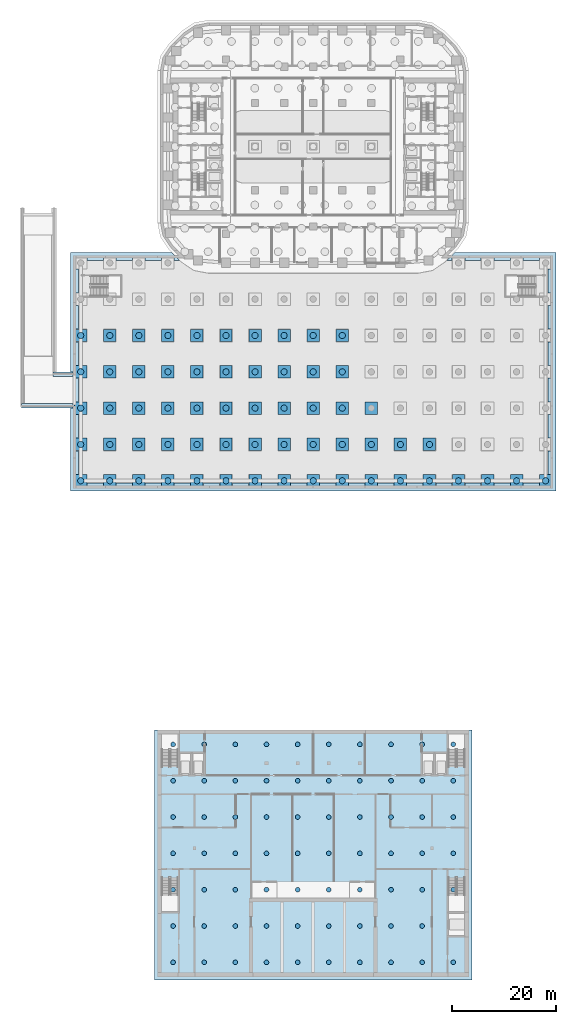
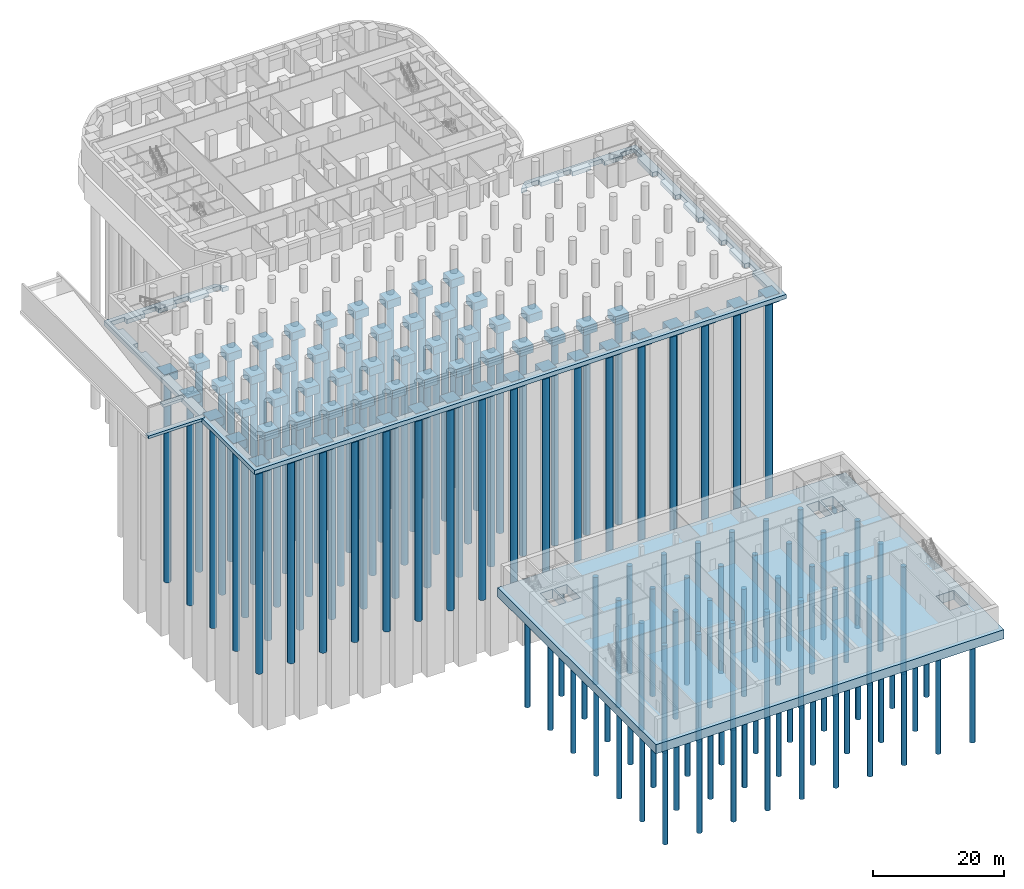
# One storey, part 1 of 23: 129 piles, 65 footings.
"""IFC4 building model written with IfcOpenShell, lengths in metres."""

from ifc_helpers import new_model, si_unit, direction, frame, origin, origin_2d, place, context, subcontext, project, spatial, polyline, rectangle, circle, outline, extrude, material, layer, layer_set, material_profile, profile_set, type_object, element, save


model = new_model("IFC4")

# Units and contexts
model_context = context("Model", 3, precision=1e-05, world=origin(), true_north=direction((0.0, 1.0)))
body_context = subcontext(model_context, "Body", "Model", "MODEL_VIEW")
ifc_project = project(units=[si_unit("LENGTHUNIT", "METRE"), si_unit("AREAUNIT", "SQUARE_METRE"), si_unit("VOLUMEUNIT", "CUBIC_METRE"), si_unit("PLANEANGLEUNIT", "RADIAN"), si_unit("MASSUNIT", "GRAM", prefix="KILO")], contexts=[model_context])

# Site, building, storey
site_placement = place(None, origin())
site = spatial("IfcSite", under=ifc_project, at=site_placement, CompositionType="ELEMENT")
building_placement = place(site_placement, origin())
building = spatial("IfcBuilding", under=site, at=building_placement, Name="Kiln Ring Residences", CompositionType="ELEMENT")
storey_placement = place(building_placement, frame((0.0, 0.0, -4.5)))
storey = spatial("IfcBuildingStorey", under=building, at=storey_placement, Name="B1", CompositionType="ELEMENT", Elevation=-4.5)

# Piles
ifc_material_1 = material(Name="Concrete C40/50", Category="concrete")
ifc_material_profile_1 = material_profile(ifc_material_1, circle(Radius=0.60009765625, at=origin_2d()), Name="BORED1200")
ifc_profile_set_1 = profile_set([ifc_material_profile_1], Name="Concrete C40/50")
pile_type_1 = type_object("IfcPileType", Name="Bored pile D1200 C40/50", PredefinedType="BORED", material=ifc_profile_set_1)
for number, where, z_axis, x_axis, name in (
    (1, (-44.800048828125, -36.39990234375, -1.85009765625), (0.0, 0.0, -1.0), (1.0, 0.0, 0.0), "Bored pile B1 120"),
    (2, (-39.199951171875, -36.39990234375, -1.85009765625), (0.0, 0.0, -1.0), (1.0, 0.0, 0.0), "Bored pile B1 121"),
    (3, (-33.60009765625, -36.39990234375, -1.85009765625), (0.0, 0.0, -1.0), (1.0, 0.0, 0.0), "Bored pile B1 122"),
    (4, (-28.0, -36.39990234375, -1.85009765625), (0.0, 0.0, -1.0), (1.0, 0.0, 0.0), "Bored pile B1 123"),
    (5, (-22.39990234375, -36.39990234375, -1.85009765625), (0.0, 0.0, -1.0), (1.0, 0.0, 0.0), "Bored pile B1 124"),
    (6, (-16.800048828125, -36.39990234375, -1.85009765625), (0.0, 0.0, -1.0), (1.0, 0.0, 0.0), "Bored pile B1 125"),
    (7, (-11.199951171875, -36.39990234375, -1.85009765625), (0.0, 0.0, -1.0), (1.0, 0.0, 0.0), "Bored pile B1 126"),
    (8, (-5.60009765625, -36.39990234375, -1.85009765625), (0.0, 0.0, -1.0), (1.0, 0.0, 0.0), "Bored pile B1 127"),
    (9, (0.0, -36.39990234375, -1.85009765625), (0.0, 0.0, -1.0), (1.0, 0.0, 0.0), "Bored pile B1 128"),
    (10, (5.60009765625, -36.39990234375, -1.85009765625), (0.0, 0.0, -1.0), (1.0, 0.0, 0.0), "Bored pile B1 129"),
    (11, (-44.800048828125, -43.39990234375, -1.85009765625), (0.0, 0.0, -1.0), (1.0, 0.0, 0.0), "Bored pile B1 137"),
    (12, (-39.199951171875, -43.39990234375, -1.85009765625), (0.0, 0.0, -1.0), (1.0, 0.0, 0.0), "Bored pile B1 138"),
    (13, (-33.60009765625, -43.39990234375, -1.85009765625), (0.0, 0.0, -1.0), (1.0, 0.0, 0.0), "Bored pile B1 139"),
    (14, (-28.0, -43.39990234375, -1.85009765625), (0.0, 0.0, -1.0), (1.0, 0.0, 0.0), "Bored pile B1 140"),
    (15, (-22.39990234375, -43.39990234375, -1.85009765625), (0.0, 0.0, -1.0), (1.0, 0.0, 0.0), "Bored pile B1 141"),
    (16, (-16.800048828125, -43.39990234375, -1.85009765625), (0.0, 0.0, -1.0), (1.0, 0.0, 0.0), "Bored pile B1 142"),
    (17, (-11.199951171875, -43.39990234375, -1.85009765625), (0.0, 0.0, -1.0), (1.0, 0.0, 0.0), "Bored pile B1 143"),
    (18, (-5.60009765625, -43.39990234375, -1.85009765625), (0.0, 0.0, -1.0), (1.0, 0.0, 0.0), "Bored pile B1 144"),
    (19, (0.0, -43.39990234375, -1.85009765625), (0.0, 0.0, -1.0), (1.0, 0.0, 0.0), "Bored pile B1 145"),
    (20, (5.60009765625, -43.39990234375, -1.85009765625), (0.0, 0.0, -1.0), (1.0, 0.0, 0.0), "Bored pile B1 146"),
    (21, (-44.800048828125, -50.39990234375, -1.85009765625), (0.0, 0.0, -1.0), (1.0, 0.0, 0.0), "Bored pile B1 154"),
    (22, (-39.199951171875, -50.39990234375, -1.85009765625), (0.0, 0.0, -1.0), (1.0, 0.0, 0.0), "Bored pile B1 155"),
    (23, (-33.60009765625, -50.39990234375, -1.85009765625), (0.0, 0.0, -1.0), (1.0, 0.0, 0.0), "Bored pile B1 156"),
    (24, (-28.0, -50.39990234375, -1.85009765625), (0.0, 0.0, -1.0), (1.0, 0.0, 0.0), "Bored pile B1 157"),
    (25, (-22.39990234375, -50.39990234375, -1.85009765625), (0.0, 0.0, -1.0), (1.0, 0.0, 0.0), "Bored pile B1 158"),
    (26, (-16.800048828125, -50.39990234375, -1.85009765625), (0.0, 0.0, -1.0), (1.0, 0.0, 0.0), "Bored pile B1 159"),
    (27, (-11.199951171875, -50.39990234375, -1.85009765625), (0.0, 0.0, -1.0), (1.0, 0.0, 0.0), "Bored pile B1 160"),
    (28, (-5.60009765625, -50.39990234375, -1.85009765625), (0.0, 0.0, -1.0), (1.0, 0.0, 0.0), "Bored pile B1 161"),
    (29, (0.0, -50.39990234375, -1.85009765625), (0.0, 0.0, -1.0), (1.0, 0.0, 0.0), "Bored pile B1 162"),
    (30, (5.60009765625, -50.39990234375, -1.85009765625), (0.0, 0.0, -1.0), (1.0, 0.0, 0.0), "Bored pile B1 163"),
    (31, (-44.800048828125, -57.39990234375, -1.85009765625), (0.0, 0.0, -1.0), (1.0, 0.0, 0.0), "Bored pile B1 171"),
    (32, (-39.199951171875, -57.39990234375, -1.85009765625), (0.0, 0.0, -1.0), (1.0, 0.0, 0.0), "Bored pile B1 172"),
    (33, (-33.60009765625, -57.39990234375, -1.85009765625), (0.0, 0.0, -1.0), (1.0, 0.0, 0.0), "Bored pile B1 173"),
    (34, (-28.0, -57.39990234375, -1.85009765625), (0.0, 0.0, -1.0), (1.0, 0.0, 0.0), "Bored pile B1 174"),
    (35, (-22.39990234375, -57.39990234375, -1.85009765625), (0.0, 0.0, -1.0), (1.0, 0.0, 0.0), "Bored pile B1 175"),
    (36, (-16.800048828125, -57.39990234375, -1.85009765625), (0.0, 0.0, -1.0), (1.0, 0.0, 0.0), "Bored pile B1 176"),
    (37, (-11.199951171875, -57.39990234375, -1.85009765625), (0.0, 0.0, -1.0), (1.0, 0.0, 0.0), "Bored pile B1 177"),
    (38, (-5.60009765625, -57.39990234375, -1.85009765625), (0.0, 0.0, -1.0), (1.0, 0.0, 0.0), "Bored pile B1 178"),
    (39, (0.0, -57.39990234375, -1.85009765625), (0.0, 0.0, -1.0), (1.0, 0.0, 0.0), "Bored pile B1 179"),
    (40, (5.60009765625, -57.39990234375, -1.85009765625), (0.0, 0.0, -1.0), (1.0, 0.0, 0.0), "Bored pile B1 180"),
    (41, (11.199951171875, -57.39990234375, -1.85009765625), (0.0, 0.0, -1.0), (1.0, 0.0, 0.0), "Bored pile B1 181"),
    (42, (16.800048828125, -57.39990234375, -1.85009765625), (0.0, 0.0, -1.0), (1.0, 0.0, 0.0), "Bored pile B1 182"),
    (43, (22.39990234375, -57.39990234375, -1.85009765625), (0.0, 0.0, -1.0), (1.0, 0.0, 0.0), "Bored pile B1 183"),
    (44, (-44.800048828125, -64.39990234375, -1.85009765625), (0.0, 0.0, -1.0), (1.0, 0.0, 0.0), "Bored pile B1 188"),
    (45, (-39.199951171875, -64.39990234375, -1.85009765625), (0.0, 0.0, -1.0), (1.0, 0.0, 0.0), "Bored pile B1 189"),
    (46, (-33.60009765625, -64.39990234375, -1.85009765625), (0.0, 0.0, -1.0), (1.0, 0.0, 0.0), "Bored pile B1 190"),
    (47, (-28.0, -64.39990234375, -1.85009765625), (0.0, 0.0, -1.0), (1.0, 0.0, 0.0), "Bored pile B1 191"),
    (48, (-22.39990234375, -64.39990234375, -1.85009765625), (0.0, 0.0, -1.0), (1.0, 0.0, 0.0), "Bored pile B1 192"),
    (49, (-16.800048828125, -64.39990234375, -1.85009765625), (0.0, 0.0, -1.0), (1.0, 0.0, 0.0), "Bored pile B1 193"),
    (50, (-11.199951171875, -64.39990234375, -1.85009765625), (0.0, 0.0, -1.0), (1.0, 0.0, 0.0), "Bored pile B1 194"),
    (51, (-5.60009765625, -64.39990234375, -1.85009765625), (0.0, 0.0, -1.0), (1.0, 0.0, 0.0), "Bored pile B1 195"),
    (52, (0.0, -64.39990234375, -1.85009765625), (0.0, 0.0, -1.0), (1.0, 0.0, 0.0), "Bored pile B1 196"),
    (53, (5.60009765625, -64.39990234375, -1.85009765625), (0.0, 0.0, -1.0), (1.0, 0.0, 0.0), "Bored pile B1 197"),
    (54, (11.199951171875, -64.39990234375, -1.85009765625), (0.0, 0.0, -1.0), (1.0, 0.0, 0.0), "Bored pile B1 198"),
    (55, (16.800048828125, -64.39990234375, -1.85009765625), (0.0, 0.0, -1.0), (1.0, 0.0, 0.0), "Bored pile B1 199"),
    (56, (22.39990234375, -64.39990234375, -1.85009765625), (0.0, 0.0, -1.0), (1.0, 0.0, 0.0), "Bored pile B1 200"),
    (57, (28.0, -64.39990234375, -1.85009765625), (0.0, 0.0, -1.0), (1.0, 0.0, 0.0), "Bored pile B1 201"),
    (58, (33.60009765625, -64.39990234375, -1.85009765625), (0.0, 0.0, -1.0), (1.0, 0.0, 0.0), "Bored pile B1 202"),
    (59, (39.199951171875, -64.39990234375, -1.85009765625), (0.0, 0.0, -1.0), (1.0, 0.0, 0.0), "Bored pile B1 203"),
    (60, (44.800048828125, -64.39990234375, -1.85009765625), (0.0, 0.0, -1.0), (1.0, 0.0, 0.0), "Bored pile B1 204"),
):
    element("IfcPile", number, at=place(storey_placement, frame(where, z_axis=z_axis, x_axis=x_axis)), inside=storey, type_object=pile_type_1, Name=name, PredefinedType="BORED", context=body_context, shape_type="SweptSolid", body=[
        extrude(circle(Radius=0.60009765625, at=origin_2d()), origin(), (0.0, 0.0, 1.0), 38.0),
    ])
ifc_material_2 = material(Name="Concrete C35/45", Category="concrete")
ifc_material_profile_2 = material_profile(ifc_material_2, circle(Radius=0.449951171875, at=origin_2d()), Name="Hall bored pile D900")
ifc_profile_set_2 = profile_set([ifc_material_profile_2], Name="Concrete C35/45")
pile_type_2 = type_object("IfcPileType", Name="Hall bored pile D900", PredefinedType="BORED", material=ifc_profile_set_2)
for number, where, z_axis, x_axis, name in (
    (61, (-27.0, -157.199951171875, -1.60009765625), (0.0, 0.0, -1.0), (1.0, 0.0, 0.0), "Hall pile 1"),
    (62, (-27.0, -150.199951171875, -1.60009765625), (0.0, 0.0, -1.0), (1.0, 0.0, 0.0), "Hall pile 2"),
    (63, (-27.0, -143.199951171875, -1.60009765625), (0.0, 0.0, -1.0), (1.0, 0.0, 0.0), "Hall pile 3"),
    (64, (-27.0, -136.199951171875, -1.60009765625), (0.0, 0.0, -1.0), (1.0, 0.0, 0.0), "Hall pile 4"),
    (65, (-27.0, -129.199951171875, -1.60009765625), (0.0, 0.0, -1.0), (1.0, 0.0, 0.0), "Hall pile 5"),
    (66, (-27.0, -122.199951171875, -1.60009765625), (0.0, 0.0, -1.0), (1.0, 0.0, 0.0), "Hall pile 6"),
    (67, (-27.0, -115.199951171875, -1.60009765625), (0.0, 0.0, -1.0), (1.0, 0.0, 0.0), "Hall pile 7"),
    (68, (-21.0, -157.199951171875, -1.60009765625), (0.0, 0.0, -1.0), (1.0, 0.0, 0.0), "Hall pile 8"),
    (69, (-21.0, -150.199951171875, -1.60009765625), (0.0, 0.0, -1.0), (1.0, 0.0, 0.0), "Hall pile 9"),
    (70, (-21.0, -143.199951171875, -1.60009765625), (0.0, 0.0, -1.0), (1.0, 0.0, 0.0), "Hall pile 10"),
    (71, (-21.0, -136.199951171875, -1.60009765625), (0.0, 0.0, -1.0), (1.0, 0.0, 0.0), "Hall pile 11"),
    (72, (-21.0, -129.199951171875, -1.60009765625), (0.0, 0.0, -1.0), (1.0, 0.0, 0.0), "Hall pile 12"),
    (73, (-21.0, -122.199951171875, -1.60009765625), (0.0, 0.0, -1.0), (1.0, 0.0, 0.0), "Hall pile 13"),
    (74, (-21.0, -115.199951171875, -1.60009765625), (0.0, 0.0, -1.0), (1.0, 0.0, 0.0), "Hall pile 14"),
    (75, (-15.0, -157.199951171875, -1.60009765625), (0.0, 0.0, -1.0), (1.0, 0.0, 0.0), "Hall pile 15"),
    (76, (-15.0, -150.199951171875, -1.60009765625), (0.0, 0.0, -1.0), (1.0, 0.0, 0.0), "Hall pile 16"),
    (77, (-15.0, -143.199951171875, -1.60009765625), (0.0, 0.0, -1.0), (1.0, 0.0, 0.0), "Hall pile 17"),
    (78, (-15.0, -136.199951171875, -1.60009765625), (0.0, 0.0, -1.0), (1.0, 0.0, 0.0), "Hall pile 18"),
    (79, (-15.0, -129.199951171875, -1.60009765625), (0.0, 0.0, -1.0), (1.0, 0.0, 0.0), "Hall pile 19"),
    (80, (-15.0, -122.199951171875, -1.60009765625), (0.0, 0.0, -1.0), (1.0, 0.0, 0.0), "Hall pile 20"),
    (81, (-15.0, -115.199951171875, -1.60009765625), (0.0, 0.0, -1.0), (1.0, 0.0, 0.0), "Hall pile 21"),
    (82, (-9.0, -157.199951171875, -1.60009765625), (0.0, 0.0, -1.0), (1.0, 0.0, 0.0), "Hall pile 22"),
    (83, (-9.0, -150.199951171875, -1.60009765625), (0.0, 0.0, -1.0), (1.0, 0.0, 0.0), "Hall pile 23"),
    (84, (-9.0, -143.199951171875, -1.60009765625), (0.0, 0.0, -1.0), (1.0, 0.0, 0.0), "Hall pile 24"),
    (85, (-9.0, -136.199951171875, -1.60009765625), (0.0, 0.0, -1.0), (1.0, 0.0, 0.0), "Hall pile 25"),
    (86, (-9.0, -129.199951171875, -1.60009765625), (0.0, 0.0, -1.0), (1.0, 0.0, 0.0), "Hall pile 26"),
    (87, (-9.0, -122.199951171875, -1.60009765625), (0.0, 0.0, -1.0), (1.0, 0.0, 0.0), "Hall pile 27"),
    (88, (-9.0, -115.199951171875, -1.60009765625), (0.0, 0.0, -1.0), (1.0, 0.0, 0.0), "Hall pile 28"),
    (89, (-3.0, -157.199951171875, -1.60009765625), (0.0, 0.0, -1.0), (1.0, 0.0, 0.0), "Hall pile 29"),
    (90, (-3.0, -150.199951171875, -1.60009765625), (0.0, 0.0, -1.0), (1.0, 0.0, 0.0), "Hall pile 30"),
    (91, (-3.0, -143.199951171875, -1.60009765625), (0.0, 0.0, -1.0), (1.0, 0.0, 0.0), "Hall pile 31"),
    (92, (-3.0, -136.199951171875, -1.60009765625), (0.0, 0.0, -1.0), (1.0, 0.0, 0.0), "Hall pile 32"),
    (93, (-3.0, -129.199951171875, -1.60009765625), (0.0, 0.0, -1.0), (1.0, 0.0, 0.0), "Hall pile 33"),
    (94, (-3.0, -122.199951171875, -1.60009765625), (0.0, 0.0, -1.0), (1.0, 0.0, 0.0), "Hall pile 34"),
    (95, (-3.0, -115.199951171875, -1.60009765625), (0.0, 0.0, -1.0), (1.0, 0.0, 0.0), "Hall pile 35"),
    (96, (3.0, -157.199951171875, -1.60009765625), (0.0, 0.0, -1.0), (1.0, 0.0, 0.0), "Hall pile 36"),
    (97, (3.0, -150.199951171875, -1.60009765625), (0.0, 0.0, -1.0), (1.0, 0.0, 0.0), "Hall pile 37"),
    (98, (3.0, -143.199951171875, -1.60009765625), (0.0, 0.0, -1.0), (1.0, 0.0, 0.0), "Hall pile 38"),
    (99, (3.0, -136.199951171875, -1.60009765625), (0.0, 0.0, -1.0), (1.0, 0.0, 0.0), "Hall pile 39"),
    (100, (3.0, -129.199951171875, -1.60009765625), (0.0, 0.0, -1.0), (1.0, 0.0, 0.0), "Hall pile 40"),
    (101, (3.0, -122.199951171875, -1.60009765625), (0.0, 0.0, -1.0), (1.0, 0.0, 0.0), "Hall pile 41"),
    (102, (3.0, -115.199951171875, -1.60009765625), (0.0, 0.0, -1.0), (1.0, 0.0, 0.0), "Hall pile 42"),
    (103, (9.0, -157.199951171875, -1.60009765625), (0.0, 0.0, -1.0), (1.0, 0.0, 0.0), "Hall pile 43"),
    (104, (9.0, -150.199951171875, -1.60009765625), (0.0, 0.0, -1.0), (1.0, 0.0, 0.0), "Hall pile 44"),
    (105, (9.0, -143.199951171875, -1.60009765625), (0.0, 0.0, -1.0), (1.0, 0.0, 0.0), "Hall pile 45"),
    (106, (9.0, -136.199951171875, -1.60009765625), (0.0, 0.0, -1.0), (1.0, 0.0, 0.0), "Hall pile 46"),
    (107, (9.0, -129.199951171875, -1.60009765625), (0.0, 0.0, -1.0), (1.0, 0.0, 0.0), "Hall pile 47"),
    (108, (9.0, -122.199951171875, -1.60009765625), (0.0, 0.0, -1.0), (1.0, 0.0, 0.0), "Hall pile 48"),
    (109, (9.0, -115.199951171875, -1.60009765625), (0.0, 0.0, -1.0), (1.0, 0.0, 0.0), "Hall pile 49"),
    (110, (15.0, -157.199951171875, -1.60009765625), (0.0, 0.0, -1.0), (1.0, 0.0, 0.0), "Hall pile 50"),
    (111, (15.0, -150.199951171875, -1.60009765625), (0.0, 0.0, -1.0), (1.0, 0.0, 0.0), "Hall pile 51"),
    (112, (15.0, -143.199951171875, -1.60009765625), (0.0, 0.0, -1.0), (1.0, 0.0, 0.0), "Hall pile 52"),
    (113, (15.0, -136.199951171875, -1.60009765625), (0.0, 0.0, -1.0), (1.0, 0.0, 0.0), "Hall pile 53"),
    (114, (15.0, -129.199951171875, -1.60009765625), (0.0, 0.0, -1.0), (1.0, 0.0, 0.0), "Hall pile 54"),
    (115, (15.0, -122.199951171875, -1.60009765625), (0.0, 0.0, -1.0), (1.0, 0.0, 0.0), "Hall pile 55"),
    (116, (15.0, -115.199951171875, -1.60009765625), (0.0, 0.0, -1.0), (1.0, 0.0, 0.0), "Hall pile 56"),
    (117, (21.0, -157.199951171875, -1.60009765625), (0.0, 0.0, -1.0), (1.0, 0.0, 0.0), "Hall pile 57"),
    (118, (21.0, -150.199951171875, -1.60009765625), (0.0, 0.0, -1.0), (1.0, 0.0, 0.0), "Hall pile 58"),
    (119, (21.0, -143.199951171875, -1.60009765625), (0.0, 0.0, -1.0), (1.0, 0.0, 0.0), "Hall pile 59"),
    (120, (21.0, -136.199951171875, -1.60009765625), (0.0, 0.0, -1.0), (1.0, 0.0, 0.0), "Hall pile 60"),
    (121, (21.0, -129.199951171875, -1.60009765625), (0.0, 0.0, -1.0), (1.0, 0.0, 0.0), "Hall pile 61"),
    (122, (21.0, -122.199951171875, -1.60009765625), (0.0, 0.0, -1.0), (1.0, 0.0, 0.0), "Hall pile 62"),
    (123, (21.0, -115.199951171875, -1.60009765625), (0.0, 0.0, -1.0), (1.0, 0.0, 0.0), "Hall pile 63"),
    (124, (27.0, -157.199951171875, -1.60009765625), (0.0, 0.0, -1.0), (1.0, 0.0, 0.0), "Hall pile 64"),
    (125, (27.0, -143.199951171875, -1.60009765625), (0.0, 0.0, -1.0), (1.0, 0.0, 0.0), "Hall pile 65"),
    (126, (27.0, -136.199951171875, -1.60009765625), (0.0, 0.0, -1.0), (1.0, 0.0, 0.0), "Hall pile 66"),
    (127, (27.0, -129.199951171875, -1.60009765625), (0.0, 0.0, -1.0), (1.0, 0.0, 0.0), "Hall pile 67"),
    (128, (27.0, -122.199951171875, -1.60009765625), (0.0, 0.0, -1.0), (1.0, 0.0, 0.0), "Hall pile 68"),
    (129, (27.0, -115.199951171875, -1.60009765625), (0.0, 0.0, -1.0), (1.0, 0.0, 0.0), "Hall pile 69"),
):
    element("IfcPile", number, at=place(storey_placement, frame(where, z_axis=z_axis, x_axis=x_axis)), inside=storey, type_object=pile_type_2, Name=name, PredefinedType="BORED", context=body_context, shape_type="SweptSolid", body=[
        extrude(circle(Radius=0.449951171875, at=origin_2d()), origin(), (0.0, 0.0, 1.0), 20.0),
    ])

# Footings
ifc_material_3 = material(Name="Concrete C35/45", Category="concrete")
ifc_layer = layer(ifc_material_3, 1.699951171875)
ifc_layer_set = layer_set([ifc_layer], Name="Hall piled raft 1700")
footing_type_1 = type_object("IfcFootingType", Name="Hall piled raft 1700", PredefinedType="PILE_CAP", material=ifc_layer_set)
footing_1_placement = place(storey_placement, frame((0.0, 0.0, -1.699951171875)))
element("IfcFooting", 130, at=footing_1_placement, inside=storey, type_object=footing_type_1, Name="Hall piled raft", PredefinedType="PILE_CAP", context=body_context, shape_type="SweptSolid", body=[
    extrude(outline(polyline([(30.60009765625, -160.60009765625), (30.60009765625, -112.39990234375), (-30.60009765625, -112.39990234375), (-30.60009765625, -160.60009765625), (30.60009765625, -160.60009765625)]), holes=[polyline([(-23.550048828125, -116.949951171875), (-25.75, -116.949951171875), (-25.75, -121.050048828125), (-23.550048828125, -121.050048828125), (-23.550048828125, -116.949951171875)]), polyline([(-21.050048828125, -121.050048828125), (-21.050048828125, -116.949951171875), (-23.25, -116.949951171875), (-23.25, -121.050048828125), (-21.050048828125, -121.050048828125)]), polyline([(21.050048828125, -116.949951171875), (21.050048828125, -121.050048828125), (23.25, -121.050048828125), (23.25, -116.949951171875), (21.050048828125, -116.949951171875)]), polyline([(23.550048828125, -121.050048828125), (25.75, -121.050048828125), (25.75, -116.949951171875), (23.550048828125, -116.949951171875), (23.550048828125, -121.050048828125)]), polyline([(26.050048828125, -152.050048828125), (29.199951171875, -152.050048828125), (29.199951171875, -147.75), (26.050048828125, -147.75), (26.050048828125, -152.050048828125)])]), origin(), (0.0, 0.0, 1.0), 1.699951171875),
])
ifc_material_4 = material(Name="Concrete C40/50", Category="concrete")
footing_type_2 = type_object("IfcFootingType", Name="Pile cap 2400x1500", PredefinedType="PILE_CAP", material=ifc_material_4)
for number, where, z_axis, x_axis, name in (
    (131, (-44.800048828125, -36.39990234375, -2.0), (0.0, 0.0, 1.0), (1.0, 0.0, 0.0), "Pile cap B1 18"),
    (132, (-39.199951171875, -36.39990234375, -2.0), (0.0, 0.0, 1.0), (1.0, 0.0, 0.0), "Pile cap B1 19"),
    (133, (-33.60009765625, -36.39990234375, -2.0), (0.0, 0.0, 1.0), (1.0, 0.0, 0.0), "Pile cap B1 20"),
    (134, (-28.0, -36.39990234375, -2.0), (0.0, 0.0, 1.0), (1.0, 0.0, 0.0), "Pile cap B1 21"),
    (135, (-22.39990234375, -36.39990234375, -2.0), (0.0, 0.0, 1.0), (1.0, 0.0, 0.0), "Pile cap B1 22"),
    (136, (-16.800048828125, -36.39990234375, -2.0), (0.0, 0.0, 1.0), (1.0, 0.0, 0.0), "Pile cap B1 23"),
    (137, (-11.199951171875, -36.39990234375, -2.0), (0.0, 0.0, 1.0), (1.0, 0.0, 0.0), "Pile cap B1 24"),
    (138, (-5.60009765625, -36.39990234375, -2.0), (0.0, 0.0, 1.0), (1.0, 0.0, 0.0), "Pile cap B1 25"),
    (139, (0.0, -36.39990234375, -2.0), (0.0, 0.0, 1.0), (1.0, 0.0, 0.0), "Pile cap B1 26"),
    (140, (5.60009765625, -36.39990234375, -2.0), (0.0, 0.0, 1.0), (1.0, 0.0, 0.0), "Pile cap B1 27"),
    (141, (-44.800048828125, -43.39990234375, -2.0), (0.0, 0.0, 1.0), (1.0, 0.0, 0.0), "Pile cap B1 35"),
    (142, (-39.199951171875, -43.39990234375, -2.0), (0.0, 0.0, 1.0), (1.0, 0.0, 0.0), "Pile cap B1 36"),
    (143, (-33.60009765625, -43.39990234375, -2.0), (0.0, 0.0, 1.0), (1.0, 0.0, 0.0), "Pile cap B1 37"),
    (144, (-28.0, -43.39990234375, -2.0), (0.0, 0.0, 1.0), (1.0, 0.0, 0.0), "Pile cap B1 38"),
    (145, (-22.39990234375, -43.39990234375, -2.0), (0.0, 0.0, 1.0), (1.0, 0.0, 0.0), "Pile cap B1 39"),
    (146, (-16.800048828125, -43.39990234375, -2.0), (0.0, 0.0, 1.0), (1.0, 0.0, 0.0), "Pile cap B1 40"),
    (147, (-11.199951171875, -43.39990234375, -2.0), (0.0, 0.0, 1.0), (1.0, 0.0, 0.0), "Pile cap B1 41"),
    (148, (-5.60009765625, -43.39990234375, -2.0), (0.0, 0.0, 1.0), (1.0, 0.0, 0.0), "Pile cap B1 42"),
    (149, (0.0, -43.39990234375, -2.0), (0.0, 0.0, 1.0), (1.0, 0.0, 0.0), "Pile cap B1 43"),
    (150, (5.60009765625, -43.39990234375, -2.0), (0.0, 0.0, 1.0), (1.0, 0.0, 0.0), "Pile cap B1 44"),
    (151, (-44.800048828125, -50.39990234375, -2.0), (0.0, 0.0, 1.0), (1.0, 0.0, 0.0), "Pile cap B1 52"),
    (152, (-39.199951171875, -50.39990234375, -2.0), (0.0, 0.0, 1.0), (1.0, 0.0, 0.0), "Pile cap B1 53"),
    (153, (-33.60009765625, -50.39990234375, -2.0), (0.0, 0.0, 1.0), (1.0, 0.0, 0.0), "Pile cap B1 54"),
    (154, (-28.0, -50.39990234375, -2.0), (0.0, 0.0, 1.0), (1.0, 0.0, 0.0), "Pile cap B1 55"),
    (155, (-22.39990234375, -50.39990234375, -2.0), (0.0, 0.0, 1.0), (1.0, 0.0, 0.0), "Pile cap B1 56"),
    (156, (-16.800048828125, -50.39990234375, -2.0), (0.0, 0.0, 1.0), (1.0, 0.0, 0.0), "Pile cap B1 57"),
    (157, (-11.199951171875, -50.39990234375, -2.0), (0.0, 0.0, 1.0), (1.0, 0.0, 0.0), "Pile cap B1 58"),
    (158, (-5.60009765625, -50.39990234375, -2.0), (0.0, 0.0, 1.0), (1.0, 0.0, 0.0), "Pile cap B1 59"),
    (159, (0.0, -50.39990234375, -2.0), (0.0, 0.0, 1.0), (1.0, 0.0, 0.0), "Pile cap B1 60"),
    (160, (5.60009765625, -50.39990234375, -2.0), (0.0, 0.0, 1.0), (1.0, 0.0, 0.0), "Pile cap B1 61"),
    (161, (11.199951171875, -50.39990234375, -2.0), (0.0, 0.0, 1.0), (1.0, 0.0, 0.0), "Pile cap B1 62"),
    (162, (-44.800048828125, -57.39990234375, -2.0), (0.0, 0.0, 1.0), (1.0, 0.0, 0.0), "Pile cap B1 69"),
    (163, (-39.199951171875, -57.39990234375, -2.0), (0.0, 0.0, 1.0), (1.0, 0.0, 0.0), "Pile cap B1 70"),
    (164, (-33.60009765625, -57.39990234375, -2.0), (0.0, 0.0, 1.0), (1.0, 0.0, 0.0), "Pile cap B1 71"),
    (165, (-28.0, -57.39990234375, -2.0), (0.0, 0.0, 1.0), (1.0, 0.0, 0.0), "Pile cap B1 72"),
    (166, (-22.39990234375, -57.39990234375, -2.0), (0.0, 0.0, 1.0), (1.0, 0.0, 0.0), "Pile cap B1 73"),
    (167, (-16.800048828125, -57.39990234375, -2.0), (0.0, 0.0, 1.0), (1.0, 0.0, 0.0), "Pile cap B1 74"),
    (168, (-11.199951171875, -57.39990234375, -2.0), (0.0, 0.0, 1.0), (1.0, 0.0, 0.0), "Pile cap B1 75"),
    (169, (-5.60009765625, -57.39990234375, -2.0), (0.0, 0.0, 1.0), (1.0, 0.0, 0.0), "Pile cap B1 76"),
    (170, (0.0, -57.39990234375, -2.0), (0.0, 0.0, 1.0), (1.0, 0.0, 0.0), "Pile cap B1 77"),
    (171, (5.60009765625, -57.39990234375, -2.0), (0.0, 0.0, 1.0), (1.0, 0.0, 0.0), "Pile cap B1 78"),
    (172, (11.199951171875, -57.39990234375, -2.0), (0.0, 0.0, 1.0), (1.0, 0.0, 0.0), "Pile cap B1 79"),
    (173, (16.800048828125, -57.39990234375, -2.0), (0.0, 0.0, 1.0), (1.0, 0.0, 0.0), "Pile cap B1 80"),
    (174, (22.39990234375, -57.39990234375, -2.0), (0.0, 0.0, 1.0), (1.0, 0.0, 0.0), "Pile cap B1 81"),
    (175, (-44.800048828125, -64.39990234375, -2.0), (0.0, 0.0, 1.0), (1.0, 0.0, 0.0), "Pile cap B1 86"),
    (176, (-39.199951171875, -64.39990234375, -2.0), (0.0, 0.0, 1.0), (1.0, 0.0, 0.0), "Pile cap B1 87"),
    (177, (-33.60009765625, -64.39990234375, -2.0), (0.0, 0.0, 1.0), (1.0, 0.0, 0.0), "Pile cap B1 88"),
    (178, (-28.0, -64.39990234375, -2.0), (0.0, 0.0, 1.0), (1.0, 0.0, 0.0), "Pile cap B1 89"),
    (179, (-22.39990234375, -64.39990234375, -2.0), (0.0, 0.0, 1.0), (1.0, 0.0, 0.0), "Pile cap B1 90"),
    (180, (-16.800048828125, -64.39990234375, -2.0), (0.0, 0.0, 1.0), (1.0, 0.0, 0.0), "Pile cap B1 91"),
    (181, (-11.199951171875, -64.39990234375, -2.0), (0.0, 0.0, 1.0), (1.0, 0.0, 0.0), "Pile cap B1 92"),
    (182, (-5.60009765625, -64.39990234375, -2.0), (0.0, 0.0, 1.0), (1.0, 0.0, 0.0), "Pile cap B1 93"),
    (183, (0.0, -64.39990234375, -2.0), (0.0, 0.0, 1.0), (1.0, 0.0, 0.0), "Pile cap B1 94"),
    (184, (5.60009765625, -64.39990234375, -2.0), (0.0, 0.0, 1.0), (1.0, 0.0, 0.0), "Pile cap B1 95"),
    (185, (11.199951171875, -64.39990234375, -2.0), (0.0, 0.0, 1.0), (1.0, 0.0, 0.0), "Pile cap B1 96"),
    (186, (16.800048828125, -64.39990234375, -2.0), (0.0, 0.0, 1.0), (1.0, 0.0, 0.0), "Pile cap B1 97"),
    (187, (22.39990234375, -64.39990234375, -2.0), (0.0, 0.0, 1.0), (1.0, 0.0, 0.0), "Pile cap B1 98"),
    (188, (28.0, -64.39990234375, -2.0), (0.0, 0.0, 1.0), (1.0, 0.0, 0.0), "Pile cap B1 99"),
    (189, (33.60009765625, -64.39990234375, -2.0), (0.0, 0.0, 1.0), (1.0, 0.0, 0.0), "Pile cap B1 100"),
    (190, (39.199951171875, -64.39990234375, -2.0), (0.0, 0.0, 1.0), (1.0, 0.0, 0.0), "Pile cap B1 101"),
    (191, (44.800048828125, -64.39990234375, -2.0), (0.0, 0.0, 1.0), (1.0, 0.0, 0.0), "Pile cap B1 102"),
):
    element("IfcFooting", number, at=place(storey_placement, frame(where, z_axis=z_axis, x_axis=x_axis)), inside=storey, type_object=footing_type_2, Name=name, PredefinedType="PILE_CAP", context=body_context, shape_type="SweptSolid", body=[
        extrude(rectangle(XDim=2.39990234375, YDim=2.39990234375, at=origin_2d()), origin(), (0.0, 0.0, 1.0), 1.5),
    ])
ifc_material_5 = material(Name="Concrete C30/37", Category="concrete")
footing_type_3 = type_object("IfcFootingType", Name="RAMP WALL STRIP FOOTING 900x500", PredefinedType="STRIP_FOOTING", material=ifc_material_5)
footing_2_placement = place(storey_placement, frame((-51.22509765625, -49.949951171875, -1.0), z_axis=(0.0, 0.0, 1.0), x_axis=(1.0, 0.0, 0.0)))
element("IfcFooting", 192, at=footing_2_placement, inside=storey, type_object=footing_type_3, Name="Ramp wall strip footing S", PredefinedType="STRIP_FOOTING", context=body_context, shape_type="SweptSolid", body=[
    extrude(rectangle(XDim=9.949951171875, YDim=0.89990234375, at=origin_2d()), origin(), (0.0, 0.0, 1.0), 0.5),
])
footing_3_placement = place(storey_placement, frame((-48.175048828125, -43.85009765625, -1.0), z_axis=(0.0, 0.0, 1.0), x_axis=(1.0, 0.0, 0.0)))
element("IfcFooting", 193, at=footing_3_placement, inside=storey, type_object=footing_type_3, Name="Ramp wall strip footing N", PredefinedType="STRIP_FOOTING", context=body_context, shape_type="SweptSolid", body=[
    extrude(rectangle(XDim=3.85009765625, YDim=0.89990234375, at=origin_2d()), origin(), (0.0, 0.0, 1.0), 0.5),
])
ifc_material_6 = material(Name="Concrete C40/50", Category="concrete")
footing_type_4 = type_object("IfcFootingType", Name="Strip footing 1500x800", PredefinedType="STRIP_FOOTING", material=ifc_material_6)
footing_4_placement = place(storey_placement, frame((0.0, 0.0, -1.300048828125)))
element("IfcFooting", 194, at=footing_4_placement, inside=storey, type_object=footing_type_4, Name="Strip footing B1 1", PredefinedType="STRIP_FOOTING", context=body_context, shape_type="SweptSolid", body=[
    extrude(outline(polyline([(27.206787109375, -20.449951171875), (25.706787109375, -21.949951171875), (26.780029296875, -21.949951171875), (26.780029296875, -21.179931640625), (29.219970703125, -21.179931640625), (29.219970703125, -21.949951171875), (32.3798828125, -21.949951171875), (32.3798828125, -21.179931640625), (34.820068359375, -21.179931640625), (34.820068359375, -21.949951171875), (37.97998046875, -21.949951171875), (37.97998046875, -21.179931640625), (40.419921875, -21.179931640625), (40.419921875, -21.949951171875), (43.580078125, -21.949951171875), (43.580078125, -21.179931640625), (46.02001953125, -21.179931640625), (46.02001953125, -23.6201171875), (45.25, -23.6201171875), (45.25, -28.179931640625), (46.02001953125, -28.179931640625), (46.02001953125, -30.6201171875), (45.25, -30.6201171875), (45.25, -35.179931640625), (46.02001953125, -35.179931640625), (46.02001953125, -37.6201171875), (45.25, -37.6201171875), (45.25, -42.179931640625), (46.02001953125, -42.179931640625), (46.02001953125, -44.6201171875), (45.25, -44.6201171875), (45.25, -49.179931640625), (46.02001953125, -49.179931640625), (46.02001953125, -51.6201171875), (45.25, -51.6201171875), (45.25, -56.179931640625), (46.02001953125, -56.179931640625), (46.02001953125, -58.6201171875), (45.25, -58.6201171875), (45.25, -63.179931640625), (46.02001953125, -63.179931640625), (46.02001953125, -65.6201171875), (43.580078125, -65.6201171875), (43.580078125, -64.85009765625), (40.419921875, -64.85009765625), (40.419921875, -65.6201171875), (37.97998046875, -65.6201171875), (37.97998046875, -64.85009765625), (34.820068359375, -64.85009765625), (34.820068359375, -65.6201171875), (32.3798828125, -65.6201171875), (32.3798828125, -64.85009765625), (29.219970703125, -64.85009765625), (29.219970703125, -65.6201171875), (26.780029296875, -65.6201171875), (26.780029296875, -64.85009765625), (23.6201171875, -64.85009765625), (23.6201171875, -65.6201171875), (21.179931640625, -65.6201171875), (21.179931640625, -64.85009765625), (18.02001953125, -64.85009765625), (18.02001953125, -65.6201171875), (15.580078125, -65.6201171875), (15.580078125, -64.85009765625), (12.419921875, -64.85009765625), (12.419921875, -65.6201171875), (9.97998046875, -65.6201171875), (9.97998046875, -64.85009765625), (6.820068359375, -64.85009765625), (6.820068359375, -65.6201171875), (4.3798828125, -65.6201171875), (4.3798828125, -64.85009765625), (1.219970703125, -64.85009765625), (1.219970703125, -65.6201171875), (-1.219970703125, -65.6201171875), (-1.219970703125, -64.85009765625), (-4.3798828125, -64.85009765625), (-4.3798828125, -65.6201171875), (-6.820068359375, -65.6201171875), (-6.820068359375, -64.85009765625), (-9.97998046875, -64.85009765625), (-9.97998046875, -65.6201171875), (-12.419921875, -65.6201171875), (-12.419921875, -64.85009765625), (-15.580078125, -64.85009765625), (-15.580078125, -65.6201171875), (-18.02001953125, -65.6201171875), (-18.02001953125, -64.85009765625), (-21.179931640625, -64.85009765625), (-21.179931640625, -65.6201171875), (-23.6201171875, -65.6201171875), (-23.6201171875, -64.85009765625), (-26.780029296875, -64.85009765625), (-26.780029296875, -65.6201171875), (-29.219970703125, -65.6201171875), (-29.219970703125, -64.85009765625), (-32.3798828125, -64.85009765625), (-32.3798828125, -65.6201171875), (-34.820068359375, -65.6201171875), (-34.820068359375, -64.85009765625), (-37.97998046875, -64.85009765625), (-37.97998046875, -65.6201171875), (-40.419921875, -65.6201171875), (-40.419921875, -64.85009765625), (-43.580078125, -64.85009765625), (-43.580078125, -65.6201171875), (-46.02001953125, -65.6201171875), (-46.02001953125, -63.179931640625), (-45.25, -63.179931640625), (-45.25, -58.6201171875), (-46.02001953125, -58.6201171875), (-46.02001953125, -56.179931640625), (-45.25, -56.179931640625), (-45.25, -51.6201171875), (-46.02001953125, -51.6201171875), (-46.02001953125, -49.179931640625), (-45.25, -49.179931640625), (-45.25, -44.6201171875), (-46.02001953125, -44.6201171875), (-46.02001953125, -42.179931640625), (-45.25, -42.179931640625), (-45.25, -37.6201171875), (-46.02001953125, -37.6201171875), (-46.02001953125, -35.179931640625), (-45.25, -35.179931640625), (-45.25, -30.6201171875), (-46.02001953125, -30.6201171875), (-46.02001953125, -28.179931640625), (-45.25, -28.179931640625), (-45.25, -23.6201171875), (-46.02001953125, -23.6201171875), (-46.02001953125, -21.179931640625), (-43.580078125, -21.179931640625), (-43.580078125, -21.949951171875), (-40.419921875, -21.949951171875), (-40.419921875, -21.179931640625), (-37.97998046875, -21.179931640625), (-37.97998046875, -21.949951171875), (-34.820068359375, -21.949951171875), (-34.820068359375, -21.179931640625), (-32.3798828125, -21.179931640625), (-32.3798828125, -21.949951171875), (-29.219970703125, -21.949951171875), (-29.219970703125, -21.179931640625), (-26.780029296875, -21.179931640625), (-26.780029296875, -21.949951171875), (-25.706787109375, -21.949951171875), (-27.206787109375, -20.449951171875), (-46.75, -20.449951171875), (-46.75, -66.35009765625), (46.75, -66.35009765625), (46.75, -20.449951171875), (27.206787109375, -20.449951171875)])), origin(), (0.0, 0.0, 1.0), 0.800048828125),
])

save(model, "model.ifc")
